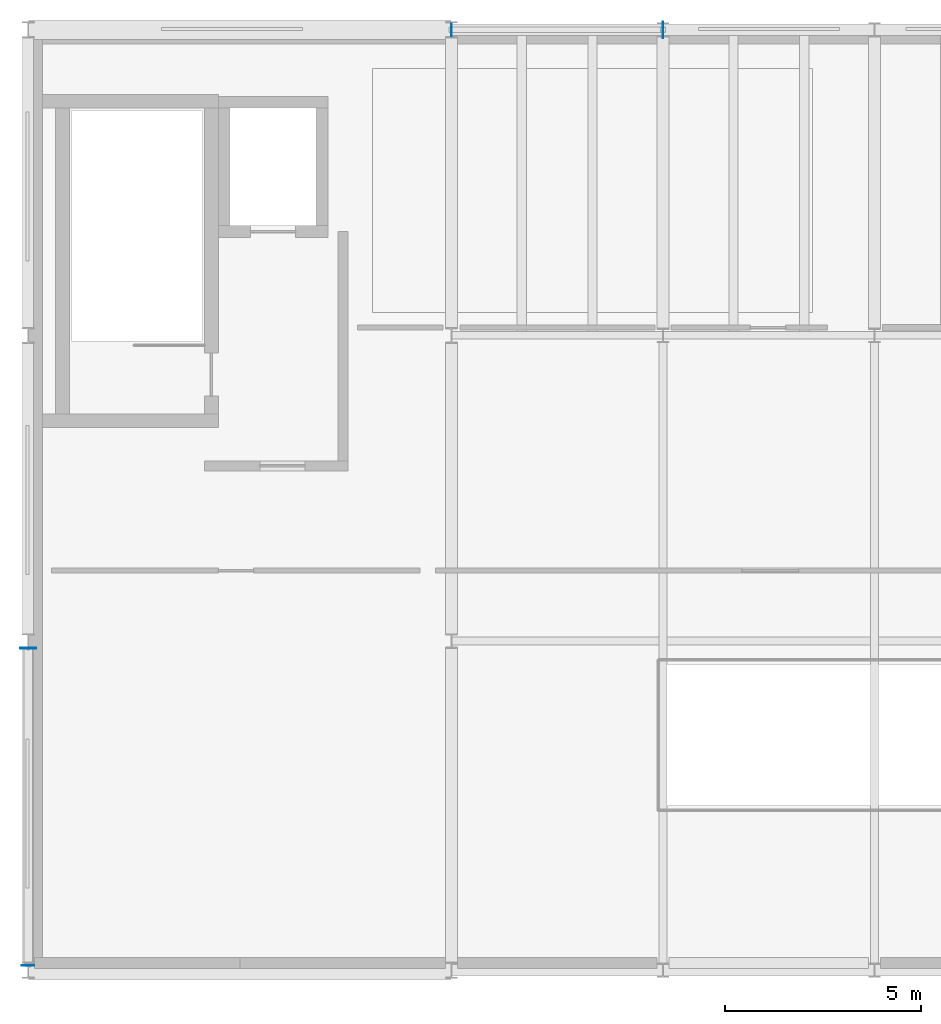
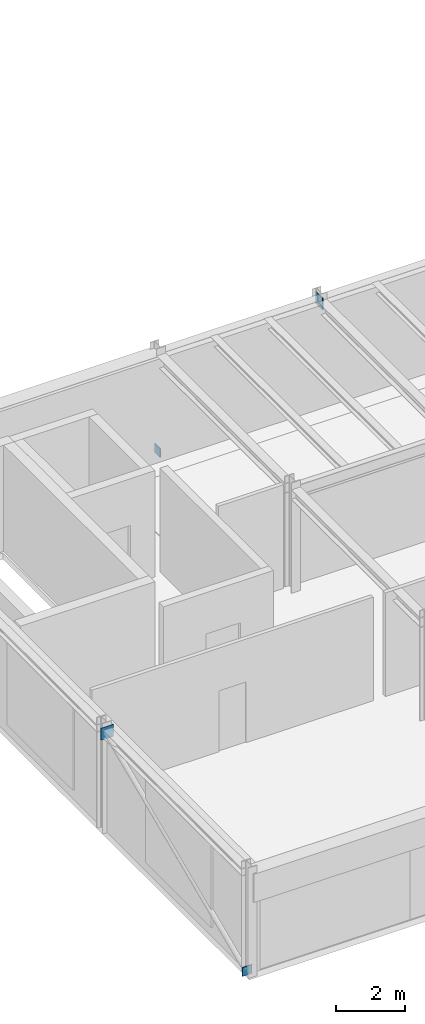
# One storey, part 4 of 8: 4 plates.
"""IFC4 building model written with IfcOpenShell, lengths in metres."""

from ifc_helpers import new_model, si_unit, direction, frame, origin, origin_2d, place, context, subcontext, project, spatial, rectangle, extrude, material, layer, layer_set, type_object, element, save


model = new_model("IFC4")

# Units and contexts
model_context = context("Model", 3, precision=1e-05, world=origin(), true_north=direction((0.0, 1.0)))
body_context = subcontext(model_context, "Body", "Model", "MODEL_VIEW")
ifc_project = project(units=[si_unit("LENGTHUNIT", "METRE"), si_unit("AREAUNIT", "SQUARE_METRE"), si_unit("VOLUMEUNIT", "CUBIC_METRE"), si_unit("PLANEANGLEUNIT", "RADIAN"), si_unit("MASSUNIT", "GRAM", prefix="KILO")], contexts=[model_context])

# Site, building, storey
site_placement = place(None, origin())
site = spatial("IfcSite", under=ifc_project, at=site_placement, CompositionType="ELEMENT")
building_placement = place(site_placement, origin())
building = spatial("IfcBuilding", under=site, at=building_placement, Name="Tazoul Stagehouse", CompositionType="ELEMENT")
storey_placement = place(building_placement, frame((0.0, 0.0, 21.0)))
storey = spatial("IfcBuildingStorey", under=building, at=storey_placement, Name="L05", CompositionType="ELEMENT", Elevation=21.0)

# Plates
ifc_material = material(Name="Steel S355", Category="steel")
ifc_layer_1 = layer(ifc_material, 0.02001953125, Name="Steel S355")
ifc_layer_set_1 = layer_set([ifc_layer_1], Name="Steel S355")
plate_type_1 = type_object("IfcPlateType", Name="Steel Brace End-Cap Plate 320x320x20 (Exterior)", PredefinedType="USERDEFINED", material=ifc_layer_set_1)
for number, where, z_axis, x_axis, name in (
    (1, (57.60009765625, 87.919921875, -0.10986328125), (0.0, 0.0, 1.0), (0.0, 1.0, 0.0), "L05 Gusset End-Cap Plate GP-01E (BR-FT-L05-W1-1)"),
    (2, (68.39990234375, 111.800048828125, -0.01025390625), (0.0, 0.0, 1.0), (1.0, 0.0, 0.0), "L05 Gusset End-Cap Plate GP-01E (BR-FT-L05-N1-1)"),
):
    element("IfcPlate", number, at=place(storey_placement, frame(where, z_axis=z_axis, x_axis=x_axis)), inside=storey, type_object=plate_type_1, Name=name, ObjectType="GUSSET PLATE", PredefinedType="USERDEFINED", context=body_context, shape_type="SweptSolid", body=[
        extrude(rectangle(XDim=0.02001953125, YDim=0.320068359375, at=origin_2d()), origin(), (0.0, 0.0, 1.0), 0.320068359375),
    ])
ifc_layer_2 = layer(ifc_material, 0.02392578125, Name="Steel S355")
ifc_layer_set_2 = layer_set([ifc_layer_2], Name="Steel S355")
plate_type_2 = type_object("IfcPlateType", Name="Steel Gusset Node Plate 420x420x24 (Exterior)", PredefinedType="USERDEFINED", material=ifc_layer_set_2)
for number, where, z_axis, x_axis, name in (
    (3, (57.60009765625, 96.02001953125, 3.340087890625), (0.0, 0.0, 1.0), (0.0, 1.0, 0.0), "L05 Gusset End-Cap Plate GP-02E (BR-FT-L05-W1-2)"),
    (4, (73.800048828125, 111.800048828125, 3.340087890625), (0.0, 0.0, 1.0), (1.0, 0.0, 0.0), "L05 Gusset End-Cap Plate GP-02E (BR-FT-L05-N1-2)"),
):
    element("IfcPlate", number, at=place(storey_placement, frame(where, z_axis=z_axis, x_axis=x_axis)), inside=storey, type_object=plate_type_2, Name=name, ObjectType="GUSSET PLATE", PredefinedType="USERDEFINED", context=body_context, shape_type="SweptSolid", body=[
        extrude(rectangle(XDim=0.02392578125, YDim=0.419921875, at=origin_2d()), origin(), (0.0, 0.0, 1.0), 0.419921875),
    ])

save(model, "model.ifc")
